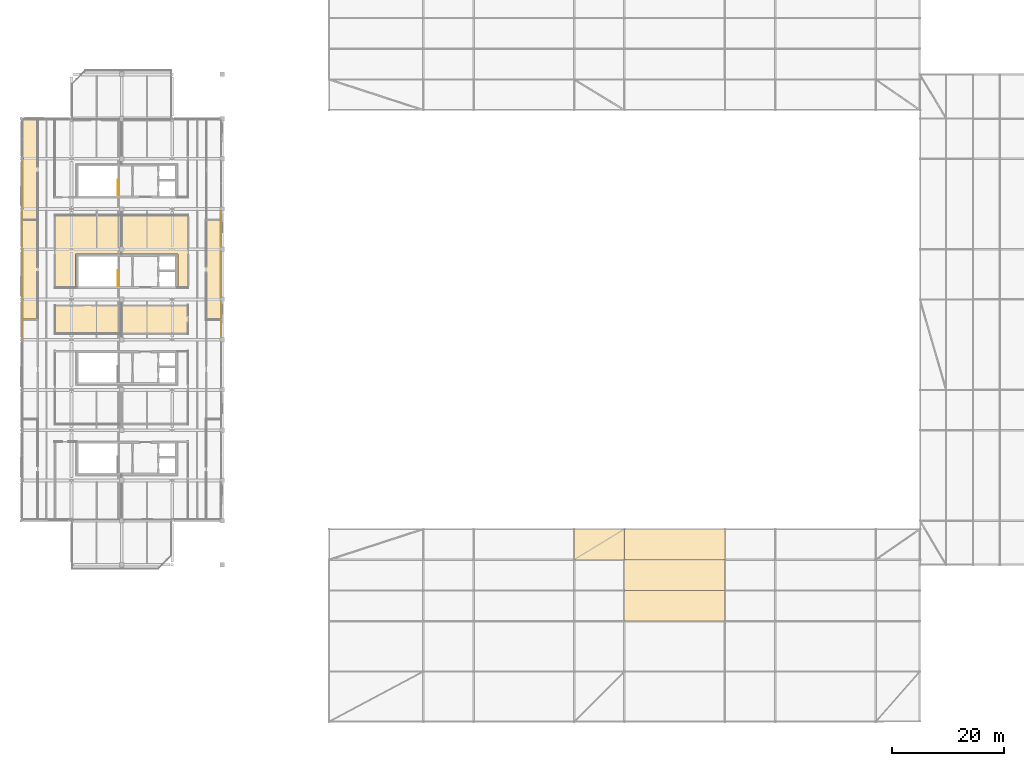
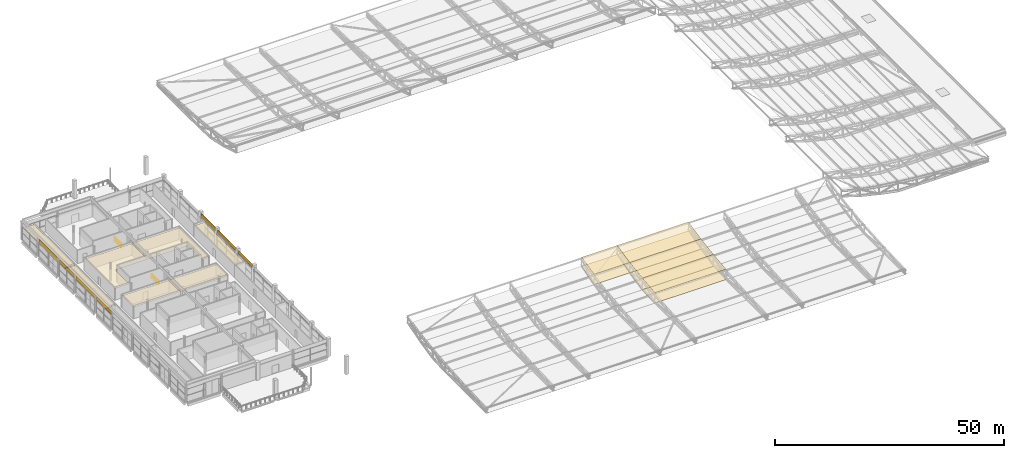
# One storey, part 109 of 114: 22 coverings, 2 railings, 2 elements without a shape of their own.
"""IFC4 building model written with IfcOpenShell, lengths in metres."""

from ifc_helpers import new_model, si_unit, direction, frame, origin, origin_2d, place, context, subcontext, project, spatial, polyline, rectangle, circle, outline, extrude, material, layer, layer_set, type_object, element, aggregate, save


model = new_model("IFC4")

# Units and contexts
model_context = context("Model", 3, precision=1e-05, world=origin(), true_north=direction((0.0, 1.0)))
body_context = subcontext(model_context, "Body", "Model", "MODEL_VIEW")
ifc_project = project(units=[si_unit("LENGTHUNIT", "METRE"), si_unit("AREAUNIT", "SQUARE_METRE"), si_unit("VOLUMEUNIT", "CUBIC_METRE"), si_unit("PLANEANGLEUNIT", "RADIAN"), si_unit("MASSUNIT", "GRAM", prefix="KILO"), si_unit("THERMODYNAMICTEMPERATUREUNIT", "KELVIN"), si_unit("POWERUNIT", "WATT")], contexts=[model_context])

# Site, building, storey
site_placement = place(None, origin())
site = spatial("IfcSite", under=ifc_project, at=site_placement, CompositionType="ELEMENT")
building_placement = place(site_placement, origin())
building = spatial("IfcBuilding", under=site, at=building_placement, Name="Sindhuravela Promenade Stadium", CompositionType="ELEMENT")
storey_placement = place(building_placement, frame((0.0, 0.0, 24.0)))
storey = spatial("IfcBuildingStorey", under=building, at=storey_placement, Name="L05", CompositionType="ELEMENT", Elevation=24.0)

# Coverings
ifc_material_1 = material(Name="Acoustic mineral-fibre ceiling tile", Category="gypsum")
ifc_layer_1 = layer(ifc_material_1, 0.02490234375)
ifc_layer_set_1 = layer_set([ifc_layer_1], Name="Acoustic mineral-fibre ceiling tile")
covering_type_1 = type_object("IfcCoveringType", Name="CV-CEIL-1", PredefinedType="CEILING", material=ifc_layer_set_1)
covering_1_placement = place(storey_placement, frame((0.0, 0.0, 3.050048828125)))
element("IfcCovering", 1, at=covering_1_placement, inside=storey, type_object=covering_type_1, Name="Acoustic ceiling Media Centre Workroom", PredefinedType="CEILING", context=body_context, shape_type="SweptSolid", body=[
    extrude(outline(polyline([(6.0400390625, 86.669921875), (6.0380859375, 86.670166015625), (6.0361328125, 86.67041015625), (6.0341796875, 86.6708984375), (6.0322265625, 86.67138671875), (6.030517578125, 86.67236328125), (6.02880859375, 86.67333984375), (6.02734375, 86.674560546875), (6.02587890625, 86.67578125), (6.0244140625, 86.67724609375), (6.0234375, 86.678955078125), (6.0224609375, 86.6806640625), (6.021484375, 86.682373046875), (6.02099609375, 86.68408203125), (6.0205078125, 86.68603515625), (6.02001953125, 86.68798828125), (6.02001953125, 86.68994140625), (6.02001953125, 99.7099609375), (6.02001953125, 99.7119140625), (6.0205078125, 99.7138671875), (6.02099609375, 99.7158203125), (6.021484375, 99.7177734375), (6.0224609375, 99.719482421875), (6.0234375, 99.72119140625), (6.0244140625, 99.72265625), (6.02587890625, 99.72412109375), (6.02734375, 99.7255859375), (6.02880859375, 99.7265625), (6.030517578125, 99.7275390625), (6.0322265625, 99.728515625), (6.0341796875, 99.72900390625), (6.0361328125, 99.7294921875), (6.0380859375, 99.72998046875), (6.0400390625, 99.72998046875), (17.830078125, 99.72998046875), (17.83203125, 99.72998046875), (17.833984375, 99.7294921875), (17.835693359375, 99.72900390625), (17.837646484375, 99.728515625), (17.83935546875, 99.7275390625), (17.841064453125, 99.7265625), (17.8427734375, 99.7255859375), (17.843994140625, 99.72412109375), (17.845458984375, 99.72265625), (17.8466796875, 99.72119140625), (17.84765625, 99.719482421875), (17.848388671875, 99.7177734375), (17.84912109375, 99.7158203125), (17.849609375, 99.7138671875), (17.849853515625, 99.7119140625), (17.85009765625, 99.7099609375), (17.85009765625, 92.800048828125), (17.849853515625, 92.798095703125), (17.849609375, 92.796142578125), (17.84912109375, 92.794189453125), (17.848388671875, 92.792236328125), (17.84765625, 92.79052734375), (17.8466796875, 92.788818359375), (17.845458984375, 92.787353515625), (17.843994140625, 92.785888671875), (17.8427734375, 92.784423828125), (17.841064453125, 92.783447265625), (17.83935546875, 92.782470703125), (17.837646484375, 92.781494140625), (17.835693359375, 92.781005859375), (17.833984375, 92.780517578125), (17.83203125, 92.780029296875), (17.830078125, 92.780029296875), (9.719970703125, 92.780029296875), (9.719970703125, 86.68994140625), (9.719970703125, 86.68798828125), (9.719482421875, 86.68603515625), (9.718994140625, 86.68408203125), (9.718505859375, 86.682373046875), (9.717529296875, 86.6806640625), (9.716552734375, 86.678955078125), (9.715576171875, 86.67724609375), (9.714111328125, 86.67578125), (9.712646484375, 86.674560546875), (9.711181640625, 86.67333984375), (9.70947265625, 86.67236328125), (9.707763671875, 86.67138671875), (9.705810546875, 86.6708984375), (9.703857421875, 86.67041015625), (9.701904296875, 86.670166015625), (9.699951171875, 86.669921875), (6.0400390625, 86.669921875)])), origin(), (0.0, 0.0, 1.0), 0.02490234375),
])
covering_2_placement = place(storey_placement, frame((0.0, 0.0, 3.050048828125)))
element("IfcCovering", 2, at=covering_2_placement, inside=storey, type_object=covering_type_1, Name="Acoustic ceiling Stadium Control and Security Room", PredefinedType="CEILING", context=body_context, shape_type="SweptSolid", body=[
    extrude(outline(polyline([(29.860107421875, 99.72998046875), (29.862060546875, 99.72998046875), (29.864013671875, 99.7294921875), (29.86572265625, 99.72900390625), (29.86767578125, 99.728515625), (29.869384765625, 99.7275390625), (29.87109375, 99.7265625), (29.872802734375, 99.7255859375), (29.8740234375, 99.72412109375), (29.87548828125, 99.72265625), (29.876708984375, 99.72119140625), (29.877685546875, 99.719482421875), (29.87841796875, 99.7177734375), (29.879150390625, 99.7158203125), (29.879638671875, 99.7138671875), (29.8798828125, 99.7119140625), (29.8798828125, 99.7099609375), (29.8798828125, 86.68994140625), (29.8798828125, 86.68798828125), (29.879638671875, 86.68603515625), (29.879150390625, 86.68408203125), (29.87841796875, 86.682373046875), (29.877685546875, 86.6806640625), (29.876708984375, 86.678955078125), (29.87548828125, 86.67724609375), (29.8740234375, 86.67578125), (29.872802734375, 86.674560546875), (29.87109375, 86.67333984375), (29.869384765625, 86.67236328125), (29.86767578125, 86.67138671875), (29.86572265625, 86.6708984375), (29.864013671875, 86.67041015625), (29.862060546875, 86.670166015625), (29.860107421875, 86.669921875), (28.10009765625, 86.669921875), (28.097900390625, 86.670166015625), (28.09619140625, 86.67041015625), (28.09423828125, 86.6708984375), (28.09228515625, 86.67138671875), (28.090576171875, 86.67236328125), (28.0888671875, 86.67333984375), (28.08740234375, 86.674560546875), (28.0859375, 86.67578125), (28.08447265625, 86.67724609375), (28.08349609375, 86.678955078125), (28.08251953125, 86.6806640625), (28.08154296875, 86.682373046875), (28.080810546875, 86.68408203125), (28.080322265625, 86.68603515625), (28.080078125, 86.68798828125), (28.080078125, 86.68994140625), (28.080078125, 92.780029296875), (18.070068359375, 92.780029296875), (18.068115234375, 92.780029296875), (18.066162109375, 92.780517578125), (18.064208984375, 92.781005859375), (18.062255859375, 92.781494140625), (18.060546875, 92.782470703125), (18.058837890625, 92.783447265625), (18.057373046875, 92.784423828125), (18.055908203125, 92.785888671875), (18.054443359375, 92.787353515625), (18.053466796875, 92.788818359375), (18.052490234375, 92.79052734375), (18.051513671875, 92.792236328125), (18.05078125, 92.794189453125), (18.05029296875, 92.796142578125), (18.050048828125, 92.798095703125), (18.050048828125, 92.800048828125), (18.050048828125, 99.7099609375), (18.050048828125, 99.7119140625), (18.05029296875, 99.7138671875), (18.05078125, 99.7158203125), (18.051513671875, 99.7177734375), (18.052490234375, 99.719482421875), (18.053466796875, 99.72119140625), (18.054443359375, 99.72265625), (18.055908203125, 99.72412109375), (18.057373046875, 99.7255859375), (18.058837890625, 99.7265625), (18.060546875, 99.7275390625), (18.062255859375, 99.728515625), (18.064208984375, 99.72900390625), (18.066162109375, 99.7294921875), (18.068115234375, 99.72998046875), (18.070068359375, 99.72998046875), (29.860107421875, 99.72998046875)])), origin(), (0.0, 0.0, 1.0), 0.02490234375),
])
covering_3_placement = place(storey_placement, frame((0.0, 0.0, 3.050048828125)))
element("IfcCovering", 3, at=covering_3_placement, inside=storey, type_object=covering_type_1, Name="Acoustic ceiling Media Dining Lounge", PredefinedType="CEILING", context=body_context, shape_type="SweptSolid", body=[
    extrude(outline(polyline([(6.02001953125, 83.510009765625), (6.02001953125, 83.511962890625), (6.0205078125, 83.513916015625), (6.02099609375, 83.515869140625), (6.021484375, 83.517578125), (6.0224609375, 83.519287109375), (6.0234375, 83.52099609375), (6.0244140625, 83.522705078125), (6.02587890625, 83.524169921875), (6.02734375, 83.525390625), (6.02880859375, 83.526611328125), (6.030517578125, 83.527587890625), (6.0322265625, 83.528564453125), (6.0341796875, 83.529052734375), (6.0361328125, 83.529541015625), (6.0380859375, 83.52978515625), (6.0400390625, 83.530029296875), (17.830078125, 83.530029296875), (17.83203125, 83.52978515625), (17.833984375, 83.529541015625), (17.835693359375, 83.529052734375), (17.837646484375, 83.528564453125), (17.83935546875, 83.527587890625), (17.841064453125, 83.526611328125), (17.8427734375, 83.525390625), (17.843994140625, 83.524169921875), (17.845458984375, 83.522705078125), (17.8466796875, 83.52099609375), (17.84765625, 83.519287109375), (17.848388671875, 83.517578125), (17.84912109375, 83.515869140625), (17.849609375, 83.513916015625), (17.849853515625, 83.511962890625), (17.85009765625, 83.510009765625), (17.85009765625, 78.489990234375), (17.849853515625, 78.488037109375), (17.849609375, 78.486083984375), (17.84912109375, 78.484130859375), (17.848388671875, 78.482421875), (17.84765625, 78.480712890625), (17.8466796875, 78.47900390625), (17.845458984375, 78.477294921875), (17.843994140625, 78.475830078125), (17.8427734375, 78.474609375), (17.841064453125, 78.473388671875), (17.83935546875, 78.472412109375), (17.837646484375, 78.471435546875), (17.835693359375, 78.470947265625), (17.833984375, 78.470458984375), (17.83203125, 78.47021484375), (17.830078125, 78.469970703125), (6.0400390625, 78.469970703125), (6.0380859375, 78.47021484375), (6.0361328125, 78.470458984375), (6.0341796875, 78.470947265625), (6.0322265625, 78.471435546875), (6.030517578125, 78.472412109375), (6.02880859375, 78.473388671875), (6.02734375, 78.474609375), (6.02587890625, 78.475830078125), (6.0244140625, 78.477294921875), (6.0234375, 78.47900390625), (6.0224609375, 78.480712890625), (6.021484375, 78.482421875), (6.02099609375, 78.484130859375), (6.0205078125, 78.486083984375), (6.02001953125, 78.488037109375), (6.02001953125, 78.489990234375), (6.02001953125, 83.510009765625)])), origin(), (0.0, 0.0, 1.0), 0.02490234375),
])
ifc_layer_2 = layer(ifc_material_1, 0.044921875)
ifc_layer_set_2 = layer_set([ifc_layer_2], Name="Acoustic mineral-fibre ceiling tile")
covering_type_2 = type_object("IfcCoveringType", Name="CV-CEIL-2", PredefinedType="CEILING", material=ifc_layer_set_2)
covering_4_placement = place(storey_placement, frame((0.0, 0.0, 3.050048828125)))
element("IfcCovering", 4, at=covering_4_placement, inside=storey, type_object=covering_type_2, Name="Acoustic ceiling Accessible WC West L05", PredefinedType="CEILING", context=body_context, shape_type="SweptSolid", body=[
    extrude(outline(polyline([(29.860107421875, 83.530029296875), (29.862060546875, 83.52978515625), (29.864013671875, 83.529541015625), (29.86572265625, 83.529052734375), (29.86767578125, 83.528564453125), (29.869384765625, 83.527587890625), (29.87109375, 83.526611328125), (29.872802734375, 83.525390625), (29.8740234375, 83.524169921875), (29.87548828125, 83.522705078125), (29.876708984375, 83.52099609375), (29.877685546875, 83.519287109375), (29.87841796875, 83.517578125), (29.879150390625, 83.515869140625), (29.879638671875, 83.513916015625), (29.8798828125, 83.511962890625), (29.8798828125, 83.510009765625), (29.8798828125, 78.489990234375), (29.8798828125, 78.488037109375), (29.879638671875, 78.486083984375), (29.879150390625, 78.484130859375), (29.87841796875, 78.482421875), (29.877685546875, 78.480712890625), (29.876708984375, 78.47900390625), (29.87548828125, 78.477294921875), (29.8740234375, 78.475830078125), (29.872802734375, 78.474609375), (29.87109375, 78.473388671875), (29.869384765625, 78.472412109375), (29.86767578125, 78.471435546875), (29.86572265625, 78.470947265625), (29.864013671875, 78.470458984375), (29.862060546875, 78.47021484375), (29.860107421875, 78.469970703125), (18.070068359375, 78.469970703125), (18.068115234375, 78.47021484375), (18.066162109375, 78.470458984375), (18.064208984375, 78.470947265625), (18.062255859375, 78.471435546875), (18.060546875, 78.472412109375), (18.058837890625, 78.473388671875), (18.057373046875, 78.474609375), (18.055908203125, 78.475830078125), (18.054443359375, 78.477294921875), (18.053466796875, 78.47900390625), (18.052490234375, 78.480712890625), (18.051513671875, 78.482421875), (18.05078125, 78.484130859375), (18.05029296875, 78.486083984375), (18.050048828125, 78.488037109375), (18.050048828125, 78.489990234375), (18.050048828125, 83.510009765625), (18.050048828125, 83.511962890625), (18.05029296875, 83.513916015625), (18.05078125, 83.515869140625), (18.051513671875, 83.517578125), (18.052490234375, 83.519287109375), (18.053466796875, 83.52099609375), (18.054443359375, 83.522705078125), (18.055908203125, 83.524169921875), (18.057373046875, 83.525390625), (18.058837890625, 83.526611328125), (18.060546875, 83.527587890625), (18.062255859375, 83.528564453125), (18.064208984375, 83.529052734375), (18.066162109375, 83.529541015625), (18.068115234375, 83.52978515625), (18.070068359375, 83.530029296875), (29.860107421875, 83.530029296875)])), origin(), (0.0, 0.0, 1.0), 0.044921875),
])
covering_5_placement = place(storey_placement, frame((0.0, 0.0, 3.050048828125)))
element("IfcCovering", 5, at=covering_5_placement, inside=storey, type_object=covering_type_2, Name="Acoustic ceiling Media Centre Workroom 3", PredefinedType="CEILING", context=body_context, shape_type="SweptSolid", body=[
    extrude(outline(polyline([(2.9599609375, 116.699951171875), (2.9619140625, 116.699951171875), (2.9638671875, 116.69970703125), (2.9658203125, 116.69921875), (2.9677734375, 116.698486328125), (2.969482421875, 116.697509765625), (2.97119140625, 116.696533203125), (2.97265625, 116.695556640625), (2.97412109375, 116.694091796875), (2.9755859375, 116.692626953125), (2.9765625, 116.691162109375), (2.9775390625, 116.689453125), (2.978515625, 116.687744140625), (2.97900390625, 116.685791015625), (2.9794921875, 116.683837890625), (2.97998046875, 116.681884765625), (2.97998046875, 116.679931640625), (2.97998046875, 98.9599609375), (2.97998046875, 98.9580078125), (2.9794921875, 98.9560546875), (2.97900390625, 98.9541015625), (2.978515625, 98.952392578125), (2.9775390625, 98.95068359375), (2.9765625, 98.948974609375), (2.9755859375, 98.947265625), (2.97412109375, 98.94580078125), (2.97265625, 98.944580078125), (2.97119140625, 98.943359375), (2.969482421875, 98.9423828125), (2.9677734375, 98.94140625), (2.9658203125, 98.94091796875), (2.9638671875, 98.9404296875), (2.9619140625, 98.940185546875), (2.9599609375, 98.93994140625), (0.320068359375, 98.93994140625), (0.318115234375, 98.940185546875), (0.316162109375, 98.9404296875), (0.314208984375, 98.94091796875), (0.312255859375, 98.94140625), (0.310546875, 98.9423828125), (0.308837890625, 98.943359375), (0.307373046875, 98.944580078125), (0.305908203125, 98.94580078125), (0.304443359375, 98.947265625), (0.303466796875, 98.948974609375), (0.302490234375, 98.95068359375), (0.301513671875, 98.952392578125), (0.30078125, 98.9541015625), (0.30029296875, 98.9560546875), (0.300048828125, 98.9580078125), (0.300048828125, 98.9599609375), (0.300048828125, 116.679931640625), (0.300048828125, 116.681884765625), (0.30029296875, 116.683837890625), (0.30078125, 116.685791015625), (0.301513671875, 116.687744140625), (0.302490234375, 116.689453125), (0.303466796875, 116.691162109375), (0.304443359375, 116.692626953125), (0.305908203125, 116.694091796875), (0.307373046875, 116.695556640625), (0.308837890625, 116.696533203125), (0.310546875, 116.697509765625), (0.312255859375, 116.698486328125), (0.314208984375, 116.69921875), (0.316162109375, 116.69970703125), (0.318115234375, 116.699951171875), (0.320068359375, 116.699951171875), (2.9599609375, 116.699951171875)])), origin(), (0.0, 0.0, 1.0), 0.044921875),
])
covering_6_placement = place(storey_placement, frame((0.0, 0.0, 3.050048828125)))
element("IfcCovering", 6, at=covering_6_placement, inside=storey, type_object=covering_type_2, Name="Acoustic ceiling Television Broadcast Studio B 5", PredefinedType="CEILING", context=body_context, shape_type="SweptSolid", body=[
    extrude(outline(polyline([(2.97998046875, 81.1201171875), (2.97998046875, 81.117919921875), (2.9794921875, 81.1162109375), (2.97900390625, 81.1142578125), (2.978515625, 81.1123046875), (2.9775390625, 81.110595703125), (2.9765625, 81.10888671875), (2.9755859375, 81.107421875), (2.97412109375, 81.10595703125), (2.97265625, 81.1044921875), (2.97119140625, 81.103515625), (2.969482421875, 81.102294921875), (2.9677734375, 81.1015625), (2.9658203125, 81.100830078125), (2.9638671875, 81.100341796875), (2.9619140625, 81.10009765625), (2.9599609375, 81.10009765625), (0.320068359375, 81.10009765625), (0.318115234375, 81.10009765625), (0.316162109375, 81.100341796875), (0.314208984375, 81.100830078125), (0.312255859375, 81.1015625), (0.310546875, 81.102294921875), (0.308837890625, 81.103515625), (0.307373046875, 81.1044921875), (0.305908203125, 81.10595703125), (0.304443359375, 81.107421875), (0.303466796875, 81.10888671875), (0.302490234375, 81.110595703125), (0.301513671875, 81.1123046875), (0.30078125, 81.1142578125), (0.30029296875, 81.1162109375), (0.300048828125, 81.117919921875), (0.300048828125, 81.1201171875), (0.300048828125, 98.719970703125), (0.300048828125, 98.721923828125), (0.30029296875, 98.723876953125), (0.30078125, 98.725830078125), (0.301513671875, 98.727783203125), (0.302490234375, 98.7294921875), (0.303466796875, 98.731201171875), (0.304443359375, 98.732666015625), (0.305908203125, 98.734130859375), (0.307373046875, 98.735595703125), (0.308837890625, 98.736572265625), (0.310546875, 98.737548828125), (0.312255859375, 98.738525390625), (0.314208984375, 98.739013671875), (0.316162109375, 98.739501953125), (0.318115234375, 98.739990234375), (0.320068359375, 98.739990234375), (2.9599609375, 98.739990234375), (2.9619140625, 98.739990234375), (2.9638671875, 98.739501953125), (2.9658203125, 98.739013671875), (2.9677734375, 98.738525390625), (2.969482421875, 98.737548828125), (2.97119140625, 98.736572265625), (2.97265625, 98.735595703125), (2.97412109375, 98.734130859375), (2.9755859375, 98.732666015625), (2.9765625, 98.731201171875), (2.9775390625, 98.7294921875), (2.978515625, 98.727783203125), (2.97900390625, 98.725830078125), (2.9794921875, 98.723876953125), (2.97998046875, 98.721923828125), (2.97998046875, 98.719970703125), (2.97998046875, 81.1201171875)])), origin(), (0.0, 0.0, 1.0), 0.044921875),
])
covering_7_placement = place(storey_placement, frame((0.0, 0.0, 3.050048828125)))
element("IfcCovering", 7, at=covering_7_placement, inside=storey, type_object=covering_type_2, Name="Acoustic ceiling Media Dining Lounge 9", PredefinedType="CEILING", context=body_context, shape_type="SweptSolid", body=[
    extrude(outline(polyline([(35.699951171875, 81.1201171875), (35.699951171875, 81.117919921875), (35.69970703125, 81.1162109375), (35.69921875, 81.1142578125), (35.698486328125, 81.1123046875), (35.697509765625, 81.110595703125), (35.696533203125, 81.10888671875), (35.695556640625, 81.107421875), (35.694091796875, 81.10595703125), (35.692626953125, 81.1044921875), (35.691162109375, 81.103515625), (35.689453125, 81.102294921875), (35.687744140625, 81.1015625), (35.685791015625, 81.100830078125), (35.683837890625, 81.100341796875), (35.681884765625, 81.10009765625), (35.679931640625, 81.10009765625), (33.139892578125, 81.10009765625), (33.137939453125, 81.10009765625), (33.135986328125, 81.100341796875), (33.13427734375, 81.100830078125), (33.13232421875, 81.1015625), (33.130615234375, 81.102294921875), (33.12890625, 81.103515625), (33.127197265625, 81.1044921875), (33.1259765625, 81.10595703125), (33.12451171875, 81.107421875), (33.123291015625, 81.10888671875), (33.122314453125, 81.110595703125), (33.12158203125, 81.1123046875), (33.120849609375, 81.1142578125), (33.120361328125, 81.1162109375), (33.1201171875, 81.117919921875), (33.1201171875, 81.1201171875), (33.1201171875, 98.719970703125), (33.1201171875, 98.721923828125), (33.120361328125, 98.723876953125), (33.120849609375, 98.725830078125), (33.12158203125, 98.727783203125), (33.122314453125, 98.7294921875), (33.123291015625, 98.731201171875), (33.12451171875, 98.732666015625), (33.1259765625, 98.734130859375), (33.127197265625, 98.735595703125), (33.12890625, 98.736572265625), (33.130615234375, 98.737548828125), (33.13232421875, 98.738525390625), (33.13427734375, 98.739013671875), (33.135986328125, 98.739501953125), (33.137939453125, 98.739990234375), (33.139892578125, 98.739990234375), (35.679931640625, 98.739990234375), (35.681884765625, 98.739990234375), (35.683837890625, 98.739501953125), (35.685791015625, 98.739013671875), (35.687744140625, 98.738525390625), (35.689453125, 98.737548828125), (35.691162109375, 98.736572265625), (35.692626953125, 98.735595703125), (35.694091796875, 98.734130859375), (35.695556640625, 98.732666015625), (35.696533203125, 98.731201171875), (35.697509765625, 98.7294921875), (35.698486328125, 98.727783203125), (35.69921875, 98.725830078125), (35.69970703125, 98.723876953125), (35.699951171875, 98.721923828125), (35.699951171875, 98.719970703125), (35.699951171875, 81.1201171875)])), origin(), (0.0, 0.0, 1.0), 0.044921875),
])

# Roof, covering
ifc_material_2 = material(Name="Standing-seam zinc-aluminium roof sheet", Category="aluminium")
roof_type = type_object("IfcRoofType", Name="RF-BARREL-S", PredefinedType="BARREL_ROOF", material=ifc_material_2)
roof_1_placement = place(storey_placement, origin())
roof_1 = element("IfcRoof", 8, at=roof_1_placement, inside=storey, type_object=roof_type, Name="Cantilevered stand roof assembly S-1", PredefinedType="BARREL_ROOF")
ifc_layer_3 = layer(ifc_material_2, 0.044921875)
ifc_layer_set_3 = layer_set([ifc_layer_3], Name="Standing-seam zinc-aluminium roof sheet")
covering_type_3 = type_object("IfcCoveringType", Name="CV-ROOF-S", PredefinedType="ROOFING", material=ifc_layer_set_3)
covering_8_placement = place(storey_placement, frame((99.0, 38.0, 3.879150390625), z_axis=(0.0, -0.2184070831753663, 0.9758577488644689), x_axis=(1.0, 0.0, 0.0)))
covering_8 = element("IfcCovering", 9, at=covering_8_placement, type_object=covering_type_3, Name="Standing-seam roof covering S bay 4.5", PredefinedType="ROOFING", context=body_context, shape_type="SweptSolid", body=[
    extrude(outline(polyline([(0.0, 0.0), (9.0, 0.0), (9.0, 5.6360673534640995), (0.0, 5.6360673534640995), (0.0, 0.0)])), origin(), (0.0, 0.0, -1.0), 0.044921875),
])
aggregate(roof_1, [covering_8])

# Roof, coverings
roof_2_placement = place(storey_placement, origin())
roof_2 = element("IfcRoof", 10, at=roof_2_placement, inside=storey, type_object=roof_type, Name="Cantilevered stand roof assembly S-2", PredefinedType="BARREL_ROOF")
covering_9_placement = place(storey_placement, frame((108.0, 27.0, 2.47314453125), z_axis=(0.0, -0.1065455909441987, 0.9943078180575428), x_axis=(1.0, 0.0, 0.0)))
covering_9 = element("IfcCovering", 11, at=covering_9_placement, type_object=covering_type_3, Name="Standing-seam roof covering S bay 5.3", PredefinedType="ROOFING", context=body_context, shape_type="SweptSolid", body=[
    extrude(outline(polyline([(0.0, 0.0), (18.0, 0.0), (18.0, 5.531486226010649), (0.0, 5.531486226010649), (0.0, 0.0)])), origin(), (0.0, 0.0, -1.0), 0.044921875),
])
covering_10_placement = place(storey_placement, frame((108.0, 32.5, 3.0625), z_axis=(0.0, -0.14687168523012892, 0.9891555530237203), x_axis=(1.0, 0.0, 0.0)))
covering_10 = element("IfcCovering", 12, at=covering_10_placement, type_object=covering_type_3, Name="Standing-seam roof covering S bay 5.4", PredefinedType="ROOFING", context=body_context, shape_type="SweptSolid", body=[
    extrude(outline(polyline([(0.0, 0.0), (18.0, 0.0), (18.0, 5.560298360745398), (0.0, 5.560298360745398), (0.0, 0.0)])), origin(), (0.0, 0.0, -1.0), 0.044921875),
])
covering_11_placement = place(storey_placement, frame((108.0, 38.0, 3.879150390625), z_axis=(0.0, -0.2184070831753663, 0.9758577488644689), x_axis=(1.0, 0.0, 0.0)))
covering_11 = element("IfcCovering", 13, at=covering_11_placement, type_object=covering_type_3, Name="Standing-seam roof covering S bay 5.5", PredefinedType="ROOFING", context=body_context, shape_type="SweptSolid", body=[
    extrude(outline(polyline([(0.0, 0.0), (18.0, 0.0), (18.0, 5.6360673534640995), (0.0, 5.6360673534640995), (0.0, 0.0)])), origin(), (0.0, 0.0, -1.0), 0.044921875),
])
aggregate(roof_2, [covering_9, covering_10, covering_11])

# Coverings
ifc_material_3 = material(Name="White PVDF aluminium soffit cladding", Category="aluminium")
ifc_layer_4 = layer(ifc_material_3, 0.034912109375)
ifc_layer_set_4 = layer_set([ifc_layer_4], Name="White PVDF aluminium soffit cladding")
covering_type_4 = type_object("IfcCoveringType", Name="CV-SOFFIT-S", PredefinedType="CEILING", material=ifc_layer_set_4)
covering_12_placement = place(storey_placement, frame((99.0, 38.0, 1.119140625), z_axis=(0.0, -0.28028796219145374, 0.9599159641606978), x_axis=(1.0, 0.0, 0.0)))
element("IfcCovering", 14, at=covering_12_placement, inside=storey, type_object=covering_type_4, Name="Smooth white canopy soffit cladding S bay 4.5", PredefinedType="CEILING", context=body_context, shape_type="SweptSolid", body=[
    extrude(outline(polyline([(0.0, 0.0), (9.0, 0.0), (9.0, 5.729668226539937), (0.0, 5.729668226539937), (0.0, 0.0)])), origin(), (0.0, 0.0, -1.0), 0.034912109375),
])
covering_13_placement = place(storey_placement, frame((108.0, 27.0, -0.300048828125), z_axis=(0.0, -0.04133538022189949, 0.9991453279387894), x_axis=(1.0, 0.0, 0.0)))
element("IfcCovering", 15, at=covering_13_placement, inside=storey, type_object=covering_type_4, Name="Smooth white canopy soffit cladding S bay 5.3", PredefinedType="CEILING", context=body_context, shape_type="SweptSolid", body=[
    extrude(outline(polyline([(0.0, 0.0), (18.0, 0.0), (18.0, 5.5047047173271135), (0.0, 5.5047047173271135), (0.0, 0.0)])), origin(), (0.0, 0.0, -1.0), 0.034912109375),
])
covering_14_placement = place(storey_placement, frame((108.0, 32.5, -0.072509765625), z_axis=(0.0, -0.21175058451368897, 0.9773237385626685), x_axis=(1.0, 0.0, 0.0)))
element("IfcCovering", 16, at=covering_14_placement, inside=storey, type_object=covering_type_4, Name="Smooth white canopy soffit cladding S bay 5.4", PredefinedType="CEILING", context=body_context, shape_type="SweptSolid", body=[
    extrude(outline(polyline([(0.0, 0.0), (18.0, 0.0), (18.0, 5.627613228845486), (0.0, 5.627613228845486), (0.0, 0.0)])), origin(), (0.0, 0.0, -1.0), 0.034912109375),
])
covering_15_placement = place(storey_placement, frame((108.0, 38.0, 1.119140625), z_axis=(0.0, -0.28028796219145374, 0.9599159641606978), x_axis=(1.0, 0.0, 0.0)))
element("IfcCovering", 17, at=covering_15_placement, inside=storey, type_object=covering_type_4, Name="Smooth white canopy soffit cladding S bay 5.5", PredefinedType="CEILING", context=body_context, shape_type="SweptSolid", body=[
    extrude(outline(polyline([(0.0, 0.0), (18.0, 0.0), (18.0, 5.729668226539937), (0.0, 5.729668226539937), (0.0, 0.0)])), origin(), (0.0, 0.0, -1.0), 0.034912109375),
])
ifc_material_4 = material(Name="Polychrome trencadis ceramic mosaic", Category="masonry")
ifc_layer_5 = layer(ifc_material_4, 0.034912109375)
ifc_layer_set_5 = layer_set([ifc_layer_5], Name="Polychrome trencadis ceramic mosaic")
covering_type_5 = type_object("IfcCoveringType", Name="CV-TRENC-1", PredefinedType="CLADDING", material=ifc_layer_set_5)
for number, where, z_axis, x_axis, name in (
    (18, (0.179931640625, 81.0, 3.55517578125), (0.0, 0.0, 1.0), (0.0, 1.0, 0.0), "Trencadis ceramic mosaic spandrel frieze WEST L05-122"),
    (19, (0.179931640625, 97.199951171875, 3.55517578125), (0.0, 0.0, 1.0), (0.0, 1.0, 0.0), "Trencadis ceramic mosaic spandrel frieze WEST L05-124"),
):
    element("IfcCovering", number, at=place(storey_placement, frame(where, z_axis=z_axis, x_axis=x_axis)), inside=storey, type_object=covering_type_5, Name=name, PredefinedType="CLADDING", context=body_context, shape_type="SweptSolid", body=[
        extrude(rectangle(XDim=6.6640625, YDim=0.034912109375, at=origin_2d()), origin(), (0.0, 0.0, 1.0), 0.905029296875),
    ])
covering_16_placement = place(storey_placement, frame((35.820068359375, 89.10009765625, 3.55517578125), z_axis=(0.0, 0.0, 1.0), x_axis=(0.0, -1.0, 0.0)))
element("IfcCovering", 20, at=covering_16_placement, inside=storey, type_object=covering_type_5, Name="Trencadis ceramic mosaic spandrel frieze WEST L05-134", PredefinedType="CLADDING", context=body_context, shape_type="SweptSolid", body=[
    extrude(rectangle(XDim=8.070068359375, YDim=0.034912109375, at=origin_2d()), origin(), (0.0, 0.0, 1.0), 0.905029296875),
])
ifc_layer_6 = layer(ifc_material_4, 0.050048828125)
ifc_layer_set_6 = layer_set([ifc_layer_6], Name="Polychrome trencadis ceramic mosaic")
covering_type_6 = type_object("IfcCoveringType", Name="CV-TRENC-2", PredefinedType="CLADDING", material=ifc_layer_set_6)
for number, where, z_axis, x_axis, name in (
    (21, (0.179931640625, 89.10009765625, 3.55517578125), (0.0, 0.0, 1.0), (0.0, 1.0, 0.0), "Trencadis ceramic mosaic spandrel frieze WEST L05-123"),
    (22, (0.179931640625, 105.300048828125, 3.55517578125), (0.0, 0.0, 1.0), (0.0, 1.0, 0.0), "Trencadis ceramic mosaic spandrel frieze WEST L05-125"),
):
    element("IfcCovering", number, at=place(storey_placement, frame(where, z_axis=z_axis, x_axis=x_axis)), inside=storey, type_object=covering_type_6, Name=name, PredefinedType="CLADDING", context=body_context, shape_type="SweptSolid", body=[
        extrude(rectangle(XDim=8.464111328125, YDim=0.050048828125, at=origin_2d()), origin(), (0.0, 0.0, 1.0), 0.905029296875),
    ])
for number, where, z_axis, x_axis, name in (
    (23, (35.820068359375, 97.199951171875, 3.55517578125), (0.0, 0.0, 1.0), (0.0, -1.0, 0.0), "Trencadis ceramic mosaic spandrel frieze WEST L05-133"),
    (24, (35.820068359375, 81.0, 3.55517578125), (0.0, 0.0, 1.0), (0.0, -1.0, 0.0), "Trencadis ceramic mosaic spandrel frieze WEST L05-135"),
):
    element("IfcCovering", number, at=place(storey_placement, frame(where, z_axis=z_axis, x_axis=x_axis)), inside=storey, type_object=covering_type_6, Name=name, PredefinedType="CLADDING", context=body_context, shape_type="SweptSolid", body=[
        extrude(rectangle(XDim=6.27001953125, YDim=0.050048828125, at=origin_2d()), origin(), (0.0, 0.0, 1.0), 0.905029296875),
    ])

# Railings
ifc_material_5 = material(Name="Architectural wrought steel E350", Category="steel")
railing_type = type_object("IfcRailingType", Name="RL-GRD-1150", PredefinedType="GUARDRAIL", material=ifc_material_5)
for number, where, name in (
    (25, (17.280029296875, 86.9599609375, 0.0), "Stair ST03 top landing well guard (L05)"),
    (26, (17.280029296875, 103.159912109375, 0.0), "Stair ST04 top landing well guard (L05)"),
):
    element("IfcRailing", number, at=place(storey_placement, frame(where)), inside=storey, type_object=railing_type, Name=name, PredefinedType="GUARDRAIL", context=body_context, shape_type="SweptSolid", body=[
        extrude(circle(Radius=0.02392578125, at=origin_2d()), frame((0.0, 0.0, 1.1259765625), z_axis=(0.0, 1.0, 0.0), x_axis=(-1.0, 0.0, 0.0)), (0.0, 0.0, 1.0), 2.830078125),
        extrude(circle(Radius=0.02099609375, at=origin_2d()), origin(), (0.0, 0.0, 1.0), 1.101806640625),
        extrude(circle(Radius=0.02099609375, at=origin_2d()), frame((0.0, 0.943359375, 0.0)), (0.0, 0.0, 1.0), 1.101806640625),
        extrude(circle(Radius=0.02099609375, at=origin_2d()), frame((0.0, 1.88671875, 0.0)), (0.0, 0.0, 1.0), 1.101806640625),
        extrude(circle(Radius=0.02099609375, at=origin_2d()), frame((0.0, 2.830078125, 0.0)), (0.0, 0.0, 1.0), 1.101806640625),
    ])

save(model, "model.ifc")
